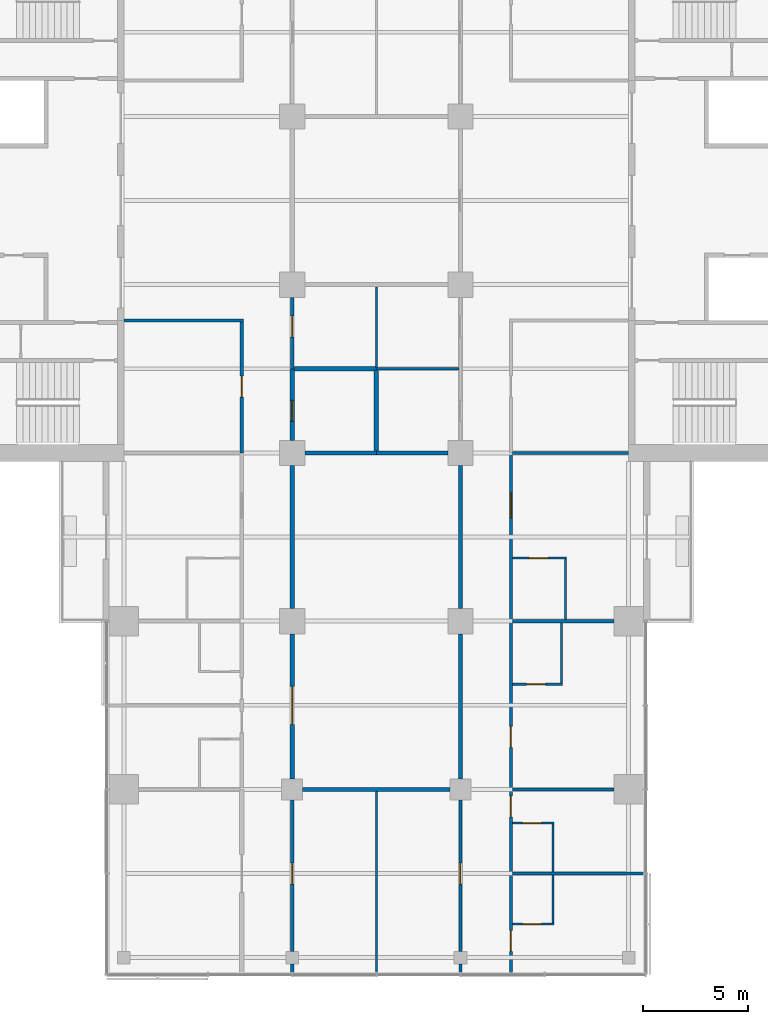
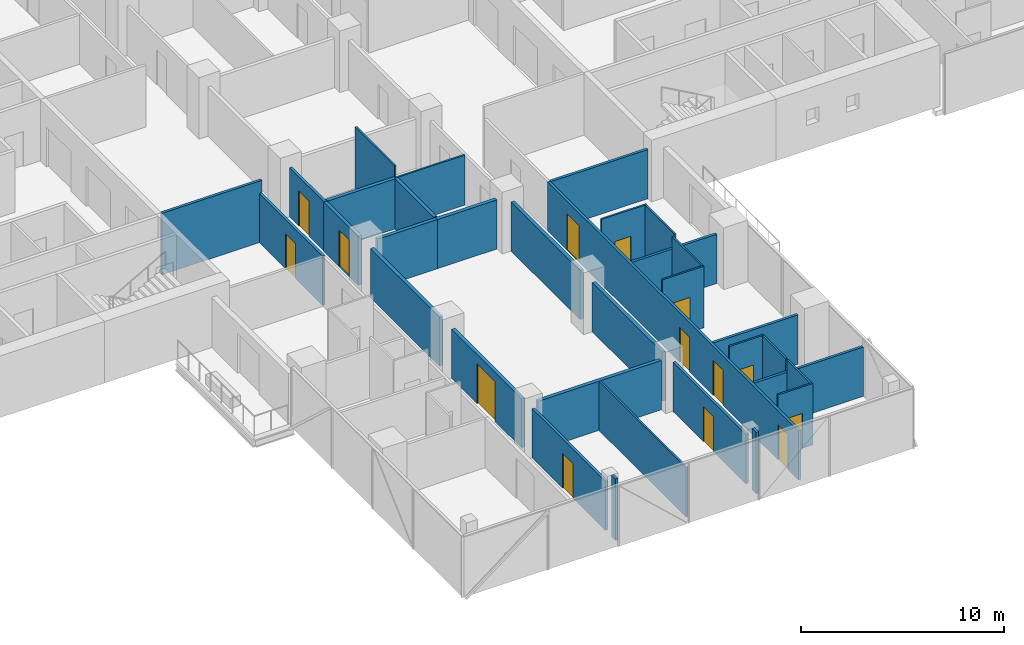
# One storey, part 16 of 27: 33 walls, 14 doors, 14 openings.
"""IFC4 building model written with IfcOpenShell, lengths in metres."""

from ifc_helpers import new_model, si_unit, direction, frame, frame_2d, origin, place, context, subcontext, project, spatial, rectangle, extrude, material, layer, layer_set, type_object, element, fill, save


model = new_model("IFC4")

# Units and contexts
model_context = context("Model", 3, precision=1e-05, world=origin(), true_north=direction((0.0, 1.0)))
body_context = subcontext(model_context, "Body", "Model", "MODEL_VIEW")
ifc_project = project(units=[si_unit("LENGTHUNIT", "METRE"), si_unit("AREAUNIT", "SQUARE_METRE"), si_unit("VOLUMEUNIT", "CUBIC_METRE"), si_unit("PLANEANGLEUNIT", "RADIAN"), si_unit("MASSUNIT", "GRAM", prefix="KILO")], contexts=[model_context])

# Site, building, storey
site_placement = place(None, origin())
site = spatial("IfcSite", under=ifc_project, at=site_placement, CompositionType="ELEMENT")
building_placement = place(site_placement, origin())
building = spatial("IfcBuilding", under=site, at=building_placement, Name="Crosswind Convention Tower", CompositionType="ELEMENT")
storey_placement = place(building_placement, frame((0.0, 0.0, 64.60009765625)))
storey = spatial("IfcBuildingStorey", under=building, at=storey_placement, Name="L10", CompositionType="ELEMENT", Elevation=64.60009765625)

# Walls
ifc_material_1 = material(Name="Concrete blockwork", Category="masonry")
ifc_layer_1 = layer(ifc_material_1, 0.199951171875)
ifc_layer_set_1 = layer_set([ifc_layer_1], Name="COMPARTMENT WALL 200")
wall_type_1 = type_object("IfcWallType", Name="COMPARTMENT WALL 200", PredefinedType="SOLIDWALL", material=ifc_layer_set_1)
wall_1_placement = place(storey_placement, frame((121.60009765625, 88.0, 0.0), z_axis=(0.0, 0.0, 1.0), x_axis=(1.0, 0.0, 0.0)))
element("IfcWall", 1, at=wall_1_placement, inside=storey, type_object=wall_type_1, Name="Compartment Wall 16", PredefinedType="SOLIDWALL", context=body_context, shape_type="SweptSolid", body=[
    extrude(rectangle(XDim=3.39990234375, YDim=0.199951171875, at=frame_2d((1.699951171875, 0.0))), origin(), (0.0, 0.0, 1.0), 2.959716796875),
])
wall_2_placement = place(storey_placement, frame((121.074951171875, 92.0, 0.0), z_axis=(0.0, 0.0, 1.0), x_axis=(1.0, 0.0, 0.0)))
element("IfcWall", 2, at=wall_2_placement, inside=storey, type_object=wall_type_1, Name="Compartment Wall 22", PredefinedType="SOLIDWALL", context=body_context, shape_type="SweptSolid", body=[
    extrude(rectangle(XDim=3.925048828125, YDim=0.199951171875, at=frame_2d((1.96240234375, 0.0))), origin(), (0.0, 0.0, 1.0), 3.013427734375),
])

# Wall, opening, door
wall_3_placement = place(storey_placement, frame((121.0, 88.60009765625, 0.0), z_axis=(0.0, 0.0, 1.0), x_axis=(0.0, 1.0, 0.0)))
wall_3 = element("IfcWall", 3, at=wall_3_placement, inside=storey, type_object=wall_type_1, Name="Compartment Wall 91", PredefinedType="SOLIDWALL", context=body_context, shape_type="SweptSolid", body=[
    extrude(rectangle(XDim=3.39990234375, YDim=0.199951171875, at=frame_2d((1.699951171875, 0.0))), origin(), (0.0, 0.0, 1.0), 2.959716796875),
])
opening_1_placement = place(wall_3_placement, frame((0.89990234375, 0.0, 0.0)))
opening_1 = element("IfcOpeningElement", 4, at=opening_1_placement, cuts=wall_3, Name="Opening 10.060", PredefinedType="OPENING", context=body_context, shape_type="SweptSolid", body=[
    extrude(rectangle(XDim=1.0, YDim=2.199951171875, at=frame_2d((0.5, 1.10009765625))), frame((0.0, 0.10986328125, 0.0), z_axis=(0.0, -1.0, 0.0), x_axis=(1.0, 0.0, 0.0)), (0.0, 0.0, 1.0), 0.219970703125),
])
ifc_material_2 = material(Name="Steel fire door", Category="steel")
door_type_1 = type_object("IfcDoorType", Name="PLANT ROOM DOOR 1000X2200", OperationType="NOTDEFINED", PredefinedType="DOOR", material=ifc_material_2)
door_1_placement = place(opening_1_placement, frame((1.0, 0.0, 0.0), z_axis=(0.0, 0.0, 1.0), x_axis=(-1.0, 0.0, 0.0)))
door_1 = element("IfcDoor", 5, at=door_1_placement, inside=storey, type_object=door_type_1, Name="Door 10.060", ObjectType="D6", OperationType="SINGLE_SWING_RIGHT", OverallHeight=2.199951171875, OverallWidth=1.0, PredefinedType="DOOR", context=body_context, shape_type="SweptSolid", body=[
    extrude(rectangle(XDim=1.0, YDim=2.199951171875, at=frame_2d((0.5, 1.10009765625))), frame((0.0, 0.02490234375, 0.0), z_axis=(0.0, -1.0, 0.0), x_axis=(1.0, 0.0, 0.0)), (0.0, 0.0, 1.0), 0.050048828125),
])
fill(opening_1, door_1)

# Walls
wall_4_placement = place(storey_placement, frame((125.0, 88.10009765625, 0.0), z_axis=(0.0, 0.0, 1.0), x_axis=(0.0, 1.0, 0.0)))
element("IfcWall", 6, at=wall_4_placement, inside=storey, type_object=wall_type_1, Name="Compartment Wall 100", PredefinedType="SOLIDWALL", context=body_context, shape_type="SweptSolid", body=[
    extrude(rectangle(XDim=3.849853515625, YDim=0.199951171875, at=frame_2d((1.9248046875, 0.0))), origin(), (0.0, 0.0, 1.0), 3.013427734375),
])
ifc_material_3 = material(Name="Plasterboard partition", Category="gypsum")
ifc_layer_2 = layer(ifc_material_3, 0.14990234375)
ifc_layer_set_2 = layer_set([ifc_layer_2], Name="CORRIDOR WALL 150")
wall_type_2 = type_object("IfcWallType", Name="CORRIDOR WALL 150", PredefinedType="PARTITIONING", material=ifc_layer_set_2)
wall_5_placement = place(storey_placement, frame((113.0, 94.300048828125, 0.0), z_axis=(0.0, 0.0, 1.0), x_axis=(1.0, 0.0, 0.0)))
element("IfcWall", 7, at=wall_5_placement, inside=storey, type_object=wall_type_2, Name="Corridor Wall 25", PredefinedType="PARTITIONING", context=body_context, shape_type="SweptSolid", body=[
    extrude(rectangle(XDim=5.675048828125, YDim=0.14990234375, at=frame_2d((2.83740234375, 0.0))), origin(), (0.0, 0.0, 1.0), 3.699951171875),
])

# Wall, opening, door
wall_6_placement = place(storey_placement, frame((118.60009765625, 88.0, 0.0), z_axis=(0.0, 0.0, 1.0), x_axis=(0.0, 1.0, 0.0)))
wall_6 = element("IfcWall", 8, at=wall_6_placement, inside=storey, type_object=wall_type_2, Name="Corridor Wall 84", PredefinedType="PARTITIONING", context=body_context, shape_type="SweptSolid", body=[
    extrude(rectangle(XDim=6.22509765625, YDim=0.14990234375, at=frame_2d((3.112548828125, 0.0))), origin(), (0.0, 0.0, 1.0), 2.956298828125),
])
opening_2_placement = place(wall_6_placement, frame((2.64990234375, 0.0, 0.0)))
opening_2 = element("IfcOpeningElement", 9, at=opening_2_placement, cuts=wall_6, Name="Opening 10.004", PredefinedType="OPENING", context=body_context, shape_type="SweptSolid", body=[
    extrude(rectangle(XDim=1.0, YDim=2.10009765625, at=frame_2d((0.5, 1.050048828125))), frame((0.0, 0.0849609375, 0.0), z_axis=(0.0, -1.0, 0.0), x_axis=(1.0, 0.0, 0.0)), (0.0, 0.0, 1.0), 0.169921875),
])
ifc_material_4 = material(Name="Timber fire door", Category="wood")
door_type_2 = type_object("IfcDoorType", Name="SERVICE ROOM DOOR 1000X2100", OperationType="NOTDEFINED", PredefinedType="DOOR", material=ifc_material_4)
door_2_placement = place(opening_2_placement, origin())
door_2 = element("IfcDoor", 10, at=door_2_placement, inside=storey, type_object=door_type_2, Name="Door 10.004", ObjectType="D3", OperationType="SINGLE_SWING_RIGHT", OverallHeight=2.10009765625, OverallWidth=1.0, PredefinedType="DOOR", context=body_context, shape_type="SweptSolid", body=[
    extrude(rectangle(XDim=1.0, YDim=2.10009765625, at=frame_2d((0.5, 1.050048828125))), frame((0.0, 0.02490234375, 0.0), z_axis=(0.0, -1.0, 0.0), x_axis=(1.0, 0.0, 0.0)), (0.0, 0.0, 1.0), 0.050048828125),
])
fill(opening_2, door_2)

# Wall
wall_7_placement = place(storey_placement, frame((121.0, 63.300048828125, 0.0), z_axis=(0.0, 0.0, 1.0), x_axis=(0.0, 1.0, 0.0)))
element("IfcWall", 11, at=wall_7_placement, inside=storey, type_object=wall_type_2, Name="Corridor Wall 87", PredefinedType="PARTITIONING", context=body_context, shape_type="SweptSolid", body=[
    extrude(rectangle(XDim=0.39990234375, YDim=0.14990234375, at=frame_2d((0.199951171875, 0.0))), origin(), (0.0, 0.0, 1.0), 3.699951171875),
])

# Wall, opening, door
wall_8_placement = place(storey_placement, frame((121.0, 64.300048828125, 0.0), z_axis=(0.0, 0.0, 1.0), x_axis=(0.0, 1.0, 0.0)))
wall_8 = element("IfcWall", 12, at=wall_8_placement, inside=storey, type_object=wall_type_2, Name="Corridor Wall 88", PredefinedType="PARTITIONING", context=body_context, shape_type="SweptSolid", body=[
    extrude(rectangle(XDim=7.199951171875, YDim=0.14990234375, at=frame_2d((3.60009765625, 0.0))), origin(), (0.0, 0.0, 1.0), 2.959716796875),
])
opening_3_placement = place(wall_8_placement, frame((3.199951171875, 0.0, 0.0)))
opening_3 = element("IfcOpeningElement", 13, at=opening_3_placement, cuts=wall_8, Name="Opening 10.057", PredefinedType="OPENING", context=body_context, shape_type="SweptSolid", body=[
    extrude(rectangle(XDim=1.0, YDim=2.10009765625, at=frame_2d((0.5, 1.050048828125))), frame((0.0, 0.0849609375, 0.0), z_axis=(0.0, -1.0, 0.0), x_axis=(1.0, 0.0, 0.0)), (0.0, 0.0, 1.0), 0.169921875),
])
door_3_placement = place(opening_3_placement, frame((1.0, 0.0, 0.0), z_axis=(0.0, 0.0, 1.0), x_axis=(-1.0, 0.0, 0.0)))
door_3 = element("IfcDoor", 14, at=door_3_placement, inside=storey, type_object=door_type_2, Name="Door 10.057", ObjectType="D3", OperationType="SINGLE_SWING_LEFT", OverallHeight=2.10009765625, OverallWidth=1.0, PredefinedType="DOOR", context=body_context, shape_type="SweptSolid", body=[
    extrude(rectangle(XDim=1.0, YDim=2.10009765625, at=frame_2d((0.5, 1.050048828125))), frame((0.0, 0.02490234375, 0.0), z_axis=(0.0, -1.0, 0.0), x_axis=(1.0, 0.0, 0.0)), (0.0, 0.0, 1.0), 0.050048828125),
])
fill(opening_3, door_3)

wall_9_placement = place(storey_placement, frame((121.0, 92.0, 0.0), z_axis=(0.0, 0.0, 1.0), x_axis=(0.0, 1.0, 0.0)))
wall_9 = element("IfcWall", 15, at=wall_9_placement, inside=storey, type_object=wall_type_2, Name="Corridor Wall 92", PredefinedType="PARTITIONING", context=body_context, shape_type="SweptSolid", body=[
    extrude(rectangle(XDim=3.39990234375, YDim=0.14990234375, at=frame_2d((1.699951171875, 0.0))), origin(), (0.0, 0.0, 1.0), 2.959716796875),
])
opening_4_placement = place(wall_9_placement, frame((1.5, 0.0, 0.0)))
opening_4 = element("IfcOpeningElement", 16, at=opening_4_placement, cuts=wall_9, Name="Opening 10.061", PredefinedType="OPENING", context=body_context, shape_type="SweptSolid", body=[
    extrude(rectangle(XDim=1.0, YDim=2.10009765625, at=frame_2d((0.5, 1.050048828125))), frame((0.0, 0.0849609375, 0.0), z_axis=(0.0, -1.0, 0.0), x_axis=(1.0, 0.0, 0.0)), (0.0, 0.0, 1.0), 0.169921875),
])
door_4_placement = place(opening_4_placement, frame((1.0, 0.0, 0.0), z_axis=(0.0, 0.0, 1.0), x_axis=(-1.0, 0.0, 0.0)))
door_4 = element("IfcDoor", 17, at=door_4_placement, inside=storey, type_object=door_type_2, Name="Door 10.061", ObjectType="D3", OperationType="SINGLE_SWING_LEFT", OverallHeight=2.10009765625, OverallWidth=1.0, PredefinedType="DOOR", context=body_context, shape_type="SweptSolid", body=[
    extrude(rectangle(XDim=1.0, YDim=2.10009765625, at=frame_2d((0.5, 1.050048828125))), frame((0.0, 0.02490234375, 0.0), z_axis=(0.0, -1.0, 0.0), x_axis=(1.0, 0.0, 0.0)), (0.0, 0.0, 1.0), 0.050048828125),
])
fill(opening_4, door_4)

# Wall
wall_10_placement = place(storey_placement, frame((129.0, 63.300048828125, 0.0), z_axis=(0.0, 0.0, 1.0), x_axis=(0.0, 1.0, 0.0)))
element("IfcWall", 18, at=wall_10_placement, inside=storey, type_object=wall_type_2, Name="Corridor Wall 104", PredefinedType="PARTITIONING", context=body_context, shape_type="SweptSolid", body=[
    extrude(rectangle(XDim=0.39990234375, YDim=0.14990234375, at=frame_2d((0.199951171875, 0.0))), origin(), (0.0, 0.0, 1.0), 3.699951171875),
])

# Wall, opening, door
wall_11_placement = place(storey_placement, frame((129.0, 64.300048828125, 0.0), z_axis=(0.0, 0.0, 1.0), x_axis=(0.0, 1.0, 0.0)))
wall_11 = element("IfcWall", 19, at=wall_11_placement, inside=storey, type_object=wall_type_2, Name="Corridor Wall 105", PredefinedType="PARTITIONING", context=body_context, shape_type="SweptSolid", body=[
    extrude(rectangle(XDim=7.199951171875, YDim=0.14990234375, at=frame_2d((3.60009765625, 0.0))), origin(), (0.0, 0.0, 1.0), 2.959716796875),
])
opening_5_placement = place(wall_11_placement, frame((3.199951171875, 0.0, 0.0)))
opening_5 = element("IfcOpeningElement", 20, at=opening_5_placement, cuts=wall_11, Name="Opening 10.058", PredefinedType="OPENING", context=body_context, shape_type="SweptSolid", body=[
    extrude(rectangle(XDim=1.0, YDim=2.10009765625, at=frame_2d((0.5, 1.050048828125))), frame((0.0, 0.0849609375, 0.0), z_axis=(0.0, -1.0, 0.0), x_axis=(1.0, 0.0, 0.0)), (0.0, 0.0, 1.0), 0.169921875),
])
door_5_placement = place(opening_5_placement, origin())
door_5 = element("IfcDoor", 21, at=door_5_placement, inside=storey, type_object=door_type_2, Name="Door 10.058", ObjectType="D3", OperationType="SINGLE_SWING_RIGHT", OverallHeight=2.10009765625, OverallWidth=1.0, PredefinedType="DOOR", context=body_context, shape_type="SweptSolid", body=[
    extrude(rectangle(XDim=1.0, YDim=2.10009765625, at=frame_2d((0.5, 1.050048828125))), frame((0.0, 0.02490234375, 0.0), z_axis=(0.0, -1.0, 0.0), x_axis=(1.0, 0.0, 0.0)), (0.0, 0.0, 1.0), 0.050048828125),
])
fill(opening_5, door_5)

# Walls
ifc_material_5 = material(Name="Acoustic plasterboard partition", Category="gypsum")
ifc_layer_3 = layer(ifc_material_5, 0.14990234375)
ifc_layer_set_3 = layer_set([ifc_layer_3], Name="GUEST ROOM WALL 150")
wall_type_3 = type_object("IfcWallType", Name="GUEST ROOM WALL 150", PredefinedType="PARTITIONING", material=ifc_layer_set_3)
wall_12_placement = place(storey_placement, frame((131.47509765625, 68.0, 0.0), z_axis=(0.0, 0.0, 1.0), x_axis=(1.0, 0.0, 0.0)))
element("IfcWall", 22, at=wall_12_placement, inside=storey, type_object=wall_type_3, Name="Guest Room Wall 2", PredefinedType="PARTITIONING", context=body_context, shape_type="SweptSolid", body=[
    extrude(rectangle(XDim=6.224853515625, YDim=0.14990234375, at=frame_2d((3.1123046875, 0.0))), origin(), (0.0, 0.0, 1.0), 2.962646484375),
])
for number, where, z_axis, x_axis, name in (
    (23, (131.47509765625, 72.0, 0.0), (0.0, 0.0, 1.0), (1.0, 0.0, 0.0), "Guest Room Wall 6"),
    (24, (131.47509765625, 80.0, 0.0), (0.0, 0.0, 1.0), (1.0, 0.0, 0.0), "Guest Room Wall 12"),
):
    element("IfcWall", number, at=place(storey_placement, frame(where, z_axis=z_axis, x_axis=x_axis)), inside=storey, type_object=wall_type_3, Name=name, PredefinedType="PARTITIONING", context=body_context, shape_type="SweptSolid", body=[
        extrude(rectangle(XDim=4.824951171875, YDim=0.14990234375, at=frame_2d((2.41259765625, 0.0))), origin(), (0.0, 0.0, 1.0), 2.959716796875),
    ])
wall_13_placement = place(storey_placement, frame((131.47509765625, 88.0, 0.0), z_axis=(0.0, 0.0, 1.0), x_axis=(1.0, 0.0, 0.0)))
element("IfcWall", 25, at=wall_13_placement, inside=storey, type_object=wall_type_3, Name="Guest Room Wall 18", PredefinedType="PARTITIONING", context=body_context, shape_type="SweptSolid", body=[
    extrude(rectangle(XDim=5.52490234375, YDim=0.14990234375, at=frame_2d((2.762451171875, 0.0))), origin(), (0.0, 0.0, 1.0), 2.956298828125),
])

# Wall, openings, doors
wall_14_placement = place(storey_placement, frame((131.39990234375, 63.300048828125, 0.0), z_axis=(0.0, 0.0, 1.0), x_axis=(0.0, 1.0, 0.0)))
wall_14 = element("IfcWall", 26, at=wall_14_placement, inside=storey, type_object=wall_type_3, Name="Guest Room Wall 115", PredefinedType="PARTITIONING", context=body_context, shape_type="SweptSolid", body=[
    extrude(rectangle(XDim=24.699951171875, YDim=0.14990234375, at=frame_2d((12.35009765625, 0.0))), origin(), (0.0, 0.0, 1.0), 2.956298828125),
])
opening_6_placement = place(wall_14_placement, frame((21.60009765625, 0.0, 0.0)))
opening_6 = element("IfcOpeningElement", 27, at=opening_6_placement, cuts=wall_14, Name="Opening 10.020", PredefinedType="OPENING", context=body_context, shape_type="SweptSolid", body=[
    extrude(rectangle(XDim=1.199951171875, YDim=2.199951171875, at=frame_2d((0.60009765625, 1.10009765625))), frame((0.0, 0.0849609375, 0.0), z_axis=(0.0, -1.0, 0.0), x_axis=(1.0, 0.0, 0.0)), (0.0, 0.0, 1.0), 0.169921875),
])
opening_7_placement = place(wall_14_placement, frame((10.699951171875, 0.0, 0.0)))
opening_7 = element("IfcOpeningElement", 28, at=opening_7_placement, cuts=wall_14, Name="Opening 10.022", PredefinedType="OPENING", context=body_context, shape_type="SweptSolid", body=[
    extrude(rectangle(XDim=1.0, YDim=2.10009765625, at=frame_2d((0.5, 1.050048828125))), frame((0.0, 0.0849609375, 0.0), z_axis=(0.0, -1.0, 0.0), x_axis=(1.0, 0.0, 0.0)), (0.0, 0.0, 1.0), 0.169921875),
])
opening_8_placement = place(wall_14_placement, frame((7.39990234375, 0.0, 0.0)))
opening_8 = element("IfcOpeningElement", 29, at=opening_8_placement, cuts=wall_14, Name="Opening 10.024", PredefinedType="OPENING", context=body_context, shape_type="SweptSolid", body=[
    extrude(rectangle(XDim=1.0, YDim=2.10009765625, at=frame_2d((0.5, 1.050048828125))), frame((0.0, 0.0849609375, 0.0), z_axis=(0.0, -1.0, 0.0), x_axis=(1.0, 0.0, 0.0)), (0.0, 0.0, 1.0), 0.169921875),
])
opening_9_placement = place(wall_14_placement, frame((1.0, 0.0, 0.0)))
opening_9 = element("IfcOpeningElement", 30, at=opening_9_placement, cuts=wall_14, Name="Opening 10.026", PredefinedType="OPENING", context=body_context, shape_type="SweptSolid", body=[
    extrude(rectangle(XDim=1.0, YDim=2.10009765625, at=frame_2d((0.5, 1.050048828125))), frame((0.0, 0.0849609375, 0.0), z_axis=(0.0, -1.0, 0.0), x_axis=(1.0, 0.0, 0.0)), (0.0, 0.0, 1.0), 0.169921875),
])
door_type_3 = type_object("IfcDoorType", Name="GUEST ROOM DOOR 1000X2100", OperationType="NOTDEFINED", PredefinedType="DOOR", material=ifc_material_4)
door_6_placement = place(opening_7_placement, frame((1.0, 0.0, 0.0), z_axis=(0.0, 0.0, 1.0), x_axis=(-1.0, 0.0, 0.0)))
door_6 = element("IfcDoor", 31, at=door_6_placement, inside=storey, type_object=door_type_3, Name="Door 10.022", ObjectType="D1", OperationType="SINGLE_SWING_LEFT", OverallHeight=2.10009765625, OverallWidth=1.0, PredefinedType="DOOR", context=body_context, shape_type="SweptSolid", body=[
    extrude(rectangle(XDim=1.0, YDim=2.10009765625, at=frame_2d((0.5, 1.050048828125))), frame((0.0, 0.02490234375, 0.0), z_axis=(0.0, -1.0, 0.0), x_axis=(1.0, 0.0, 0.0)), (0.0, 0.0, 1.0), 0.050048828125),
])
fill(opening_7, door_6)
door_7_placement = place(opening_8_placement, frame((1.0, 0.0, 0.0), z_axis=(0.0, 0.0, 1.0), x_axis=(-1.0, 0.0, 0.0)))
door_7 = element("IfcDoor", 32, at=door_7_placement, inside=storey, type_object=door_type_3, Name="Door 10.024", ObjectType="D1", OperationType="SINGLE_SWING_LEFT", OverallHeight=2.10009765625, OverallWidth=1.0, PredefinedType="DOOR", context=body_context, shape_type="SweptSolid", body=[
    extrude(rectangle(XDim=1.0, YDim=2.10009765625, at=frame_2d((0.5, 1.050048828125))), frame((0.0, 0.02490234375, 0.0), z_axis=(0.0, -1.0, 0.0), x_axis=(1.0, 0.0, 0.0)), (0.0, 0.0, 1.0), 0.050048828125),
])
fill(opening_8, door_7)
door_8_placement = place(opening_9_placement, frame((1.0, 0.0, 0.0), z_axis=(0.0, 0.0, 1.0), x_axis=(-1.0, 0.0, 0.0)))
door_8 = element("IfcDoor", 33, at=door_8_placement, inside=storey, type_object=door_type_3, Name="Door 10.026", ObjectType="D1", OperationType="SINGLE_SWING_LEFT", OverallHeight=2.10009765625, OverallWidth=1.0, PredefinedType="DOOR", context=body_context, shape_type="SweptSolid", body=[
    extrude(rectangle(XDim=1.0, YDim=2.10009765625, at=frame_2d((0.5, 1.050048828125))), frame((0.0, 0.02490234375, 0.0), z_axis=(0.0, -1.0, 0.0), x_axis=(1.0, 0.0, 0.0)), (0.0, 0.0, 1.0), 0.050048828125),
])
fill(opening_9, door_8)
door_type_4 = type_object("IfcDoorType", Name="SUITE DOOR 1200X2200", OperationType="DOUBLE_DOOR_SINGLE_SWING", PredefinedType="DOOR", material=ifc_material_4)
door_9_placement = place(opening_6_placement, frame((1.199951171875, 0.0, 0.0), z_axis=(0.0, 0.0, 1.0), x_axis=(-1.0, 0.0, 0.0)))
door_9 = element("IfcDoor", 34, at=door_9_placement, inside=storey, type_object=door_type_4, Name="Door 10.020", ObjectType="D14", OperationType="DOUBLE_DOOR_SINGLE_SWING", OverallHeight=2.199951171875, OverallWidth=1.199951171875, PredefinedType="DOOR", context=body_context, shape_type="SweptSolid", body=[
    extrude(rectangle(XDim=1.199951171875, YDim=2.199951171875, at=frame_2d((0.60009765625, 1.10009765625))), frame((0.0, 0.02490234375, 0.0), z_axis=(0.0, -1.0, 0.0), x_axis=(1.0, 0.0, 0.0)), (0.0, 0.0, 1.0), 0.050048828125),
])
fill(opening_6, door_9)

# Walls
ifc_material_6 = material(Name="Double plasterboard partition", Category="gypsum")
ifc_layer_4 = layer(ifc_material_6, 0.199951171875)
ifc_layer_set_4 = layer_set([ifc_layer_4], Name="HALL WALL 200")
wall_type_4 = type_object("IfcWallType", Name="HALL WALL 200", PredefinedType="PARTITIONING", material=ifc_layer_set_4)
wall_15_placement = place(storey_placement, frame((121.5, 72.0, 0.0), z_axis=(0.0, 0.0, 1.0), x_axis=(1.0, 0.0, 0.0)))
element("IfcWall", 35, at=wall_15_placement, inside=storey, type_object=wall_type_4, Name="Hall Wall 5", PredefinedType="PARTITIONING", context=body_context, shape_type="SweptSolid", body=[
    extrude(rectangle(XDim=7.0, YDim=0.199951171875, at=frame_2d((3.5, 0.0))), origin(), (0.0, 0.0, 1.0), 2.959716796875),
])
wall_16_placement = place(storey_placement, frame((125.0, 88.0, 0.0), z_axis=(0.0, 0.0, 1.0), x_axis=(1.0, 0.0, 0.0)))
element("IfcWall", 36, at=wall_16_placement, inside=storey, type_object=wall_type_4, Name="Hall Wall 17", PredefinedType="PARTITIONING", context=body_context, shape_type="SweptSolid", body=[
    extrude(rectangle(XDim=3.39990234375, YDim=0.199951171875, at=frame_2d((1.699951171875, 0.0))), origin(), (0.0, 0.0, 1.0), 2.959716796875),
])

# Wall, opening, door
wall_17_placement = place(storey_placement, frame((121.0, 72.5, 0.0), z_axis=(0.0, 0.0, 1.0), x_axis=(0.0, 1.0, 0.0)))
wall_17 = element("IfcWall", 37, at=wall_17_placement, inside=storey, type_object=wall_type_4, Name="Hall Wall 89", PredefinedType="PARTITIONING", context=body_context, shape_type="SweptSolid", body=[
    extrude(rectangle(XDim=6.89990234375, YDim=0.199951171875, at=frame_2d((3.449951171875, 0.0))), origin(), (0.0, 0.0, 1.0), 2.959716796875),
])
opening_10_placement = place(wall_17_placement, frame((2.60009765625, 0.0, 0.0)))
opening_10 = element("IfcOpeningElement", 38, at=opening_10_placement, cuts=wall_17, Name="Opening 10.059", PredefinedType="OPENING", context=body_context, shape_type="SweptSolid", body=[
    extrude(rectangle(XDim=1.800048828125, YDim=2.39990234375, at=frame_2d((0.89990234375, 1.199951171875))), frame((0.0, 0.10986328125, 0.0), z_axis=(0.0, -1.0, 0.0), x_axis=(1.0, 0.0, 0.0)), (0.0, 0.0, 1.0), 0.219970703125),
])
door_type_5 = type_object("IfcDoorType", Name="HALL DOUBLE DOOR 1800X2400", OperationType="DOUBLE_DOOR_SINGLE_SWING", PredefinedType="DOOR", material=ifc_material_4)
door_10_placement = place(opening_10_placement, origin())
door_10 = element("IfcDoor", 39, at=door_10_placement, inside=storey, type_object=door_type_5, Name="Door 10.059", ObjectType="D5", OperationType="DOUBLE_DOOR_SINGLE_SWING", OverallHeight=2.39990234375, OverallWidth=1.800048828125, PredefinedType="DOOR", context=body_context, shape_type="SweptSolid", body=[
    extrude(rectangle(XDim=1.800048828125, YDim=2.39990234375, at=frame_2d((0.89990234375, 1.199951171875))), frame((0.0, 0.02490234375, 0.0), z_axis=(0.0, -1.0, 0.0), x_axis=(1.0, 0.0, 0.0)), (0.0, 0.0, 1.0), 0.050048828125),
])
fill(opening_10, door_10)

# Walls
wall_18_placement = place(storey_placement, frame((121.0, 80.60009765625, 0.0), z_axis=(0.0, 0.0, 1.0), x_axis=(0.0, 1.0, 0.0)))
element("IfcWall", 40, at=wall_18_placement, inside=storey, type_object=wall_type_4, Name="Hall Wall 90", PredefinedType="PARTITIONING", context=body_context, shape_type="SweptSolid", body=[
    extrude(rectangle(XDim=6.7998046875, YDim=0.199951171875, at=frame_2d((3.39990234375, 0.0))), origin(), (0.0, 0.0, 1.0), 2.959716796875),
])
wall_19_placement = place(storey_placement, frame((129.0, 72.5, 0.0), z_axis=(0.0, 0.0, 1.0), x_axis=(0.0, 1.0, 0.0)))
element("IfcWall", 41, at=wall_19_placement, inside=storey, type_object=wall_type_4, Name="Hall Wall 106", PredefinedType="PARTITIONING", context=body_context, shape_type="SweptSolid", body=[
    extrude(rectangle(XDim=6.89990234375, YDim=0.199951171875, at=frame_2d((3.449951171875, 0.0))), origin(), (0.0, 0.0, 1.0), 2.959716796875),
])
wall_20_placement = place(storey_placement, frame((129.0, 80.60009765625, 0.0), z_axis=(0.0, 0.0, 1.0), x_axis=(0.0, 1.0, 0.0)))
element("IfcWall", 42, at=wall_20_placement, inside=storey, type_object=wall_type_4, Name="Hall Wall 107", PredefinedType="PARTITIONING", context=body_context, shape_type="SweptSolid", body=[
    extrude(rectangle(XDim=6.7998046875, YDim=0.199951171875, at=frame_2d((3.39990234375, 0.0))), origin(), (0.0, 0.0, 1.0), 2.959716796875),
])
ifc_layer_5 = layer(ifc_material_3, 0.10009765625)
ifc_layer_set_5 = layer_set([ifc_layer_5], Name="PARTITION 100")
wall_type_5 = type_object("IfcWallType", Name="PARTITION 100", PredefinedType="PARTITIONING", material=ifc_layer_set_5)
wall_21_placement = place(storey_placement, frame((125.0, 92.0, 0.0), z_axis=(0.0, 0.0, 1.0), x_axis=(1.0, 0.0, 0.0)))
element("IfcWall", 43, at=wall_21_placement, inside=storey, type_object=wall_type_5, Name="Partition 23", PredefinedType="PARTITIONING", context=body_context, shape_type="SweptSolid", body=[
    extrude(rectangle(XDim=3.925048828125, YDim=0.10009765625, at=frame_2d((1.96240234375, 0.0))), origin(), (0.0, 0.0, 1.0), 3.013427734375),
])
wall_22_placement = place(storey_placement, frame((125.0, 63.300048828125, 0.0), z_axis=(0.0, 0.0, 1.0), x_axis=(0.0, 1.0, 0.0)))
element("IfcWall", 44, at=wall_22_placement, inside=storey, type_object=wall_type_5, Name="Partition 99", PredefinedType="PARTITIONING", context=body_context, shape_type="SweptSolid", body=[
    extrude(rectangle(XDim=8.599853515625, YDim=0.10009765625, at=frame_2d((4.2998046875, 0.0))), origin(), (0.0, 0.0, 1.0), 2.962646484375),
])
wall_23_placement = place(storey_placement, frame((125.0, 92.050048828125, 0.0), z_axis=(0.0, 0.0, 1.0), x_axis=(0.0, 1.0, 0.0)))
element("IfcWall", 45, at=wall_23_placement, inside=storey, type_object=wall_type_5, Name="Partition 101", PredefinedType="PARTITIONING", context=body_context, shape_type="SweptSolid", body=[
    extrude(rectangle(XDim=3.849853515625, YDim=0.10009765625, at=frame_2d((1.9248046875, 0.0))), origin(), (0.0, 0.0, 1.0), 3.699951171875),
])

# Wall, opening, door
ifc_material_7 = material(Name="Water-resistant plasterboard partition", Category="gypsum")
ifc_layer_6 = layer(ifc_material_7, 0.10009765625)
ifc_layer_set_6 = layer_set([ifc_layer_6], Name="WET ROOM PARTITION 100")
wall_type_6 = type_object("IfcWallType", Name="WET ROOM PARTITION 100", PredefinedType="PLUMBINGWALL", material=ifc_layer_set_6)
wall_24_placement = place(storey_placement, frame((131.47509765625, 65.60009765625, 0.0), z_axis=(0.0, 0.0, 1.0), x_axis=(1.0, 0.0, 0.0)))
wall_24 = element("IfcWall", 46, at=wall_24_placement, inside=storey, type_object=wall_type_6, Name="Wet Room Partition 1", PredefinedType="PLUMBINGWALL", context=body_context, shape_type="SweptSolid", body=[
    extrude(rectangle(XDim=1.974853515625, YDim=0.10009765625, at=frame_2d((0.9873046875, 0.0))), origin(), (0.0, 0.0, 1.0), 3.699951171875),
])
opening_11_placement = place(wall_24_placement, frame((0.47509765625, 0.0, 0.0)))
opening_11 = element("IfcOpeningElement", 47, at=opening_11_placement, cuts=wall_24, Name="Opening 10.027", PredefinedType="OPENING", context=body_context, shape_type="SweptSolid", body=[
    extrude(rectangle(XDim=0.89990234375, YDim=2.10009765625, at=frame_2d((0.449951171875, 1.050048828125))), frame((0.0, 0.06005859375, 0.0), z_axis=(0.0, -1.0, 0.0), x_axis=(1.0, 0.0, 0.0)), (0.0, 0.0, 1.0), 0.1201171875),
])
ifc_material_8 = material(Name="Timber door", Category="wood")
door_type_6 = type_object("IfcDoorType", Name="EN-SUITE DOOR 900X2100", OperationType="NOTDEFINED", PredefinedType="DOOR", material=ifc_material_8)
door_11_placement = place(opening_11_placement, origin())
door_11 = element("IfcDoor", 48, at=door_11_placement, inside=storey, type_object=door_type_6, Name="Door 10.027", ObjectType="D2", OperationType="SINGLE_SWING_RIGHT", OverallHeight=2.10009765625, OverallWidth=0.89990234375, PredefinedType="DOOR", context=body_context, shape_type="SweptSolid", body=[
    extrude(rectangle(XDim=0.89990234375, YDim=2.10009765625, at=frame_2d((0.449951171875, 1.050048828125))), frame((0.0, 0.02490234375, 0.0), z_axis=(0.0, -1.0, 0.0), x_axis=(1.0, 0.0, 0.0)), (0.0, 0.0, 1.0), 0.050048828125),
])
fill(opening_11, door_11)

wall_25_placement = place(storey_placement, frame((131.47509765625, 70.39990234375, 0.0), z_axis=(0.0, 0.0, 1.0), x_axis=(1.0, 0.0, 0.0)))
wall_25 = element("IfcWall", 49, at=wall_25_placement, inside=storey, type_object=wall_type_6, Name="Wet Room Partition 3", PredefinedType="PLUMBINGWALL", context=body_context, shape_type="SweptSolid", body=[
    extrude(rectangle(XDim=1.974853515625, YDim=0.10009765625, at=frame_2d((0.9873046875, 0.0))), origin(), (0.0, 0.0, 1.0), 3.699951171875),
])
opening_12_placement = place(wall_25_placement, frame((0.47509765625, 0.0, 0.0)))
opening_12 = element("IfcOpeningElement", 50, at=opening_12_placement, cuts=wall_25, Name="Opening 10.025", PredefinedType="OPENING", context=body_context, shape_type="SweptSolid", body=[
    extrude(rectangle(XDim=0.89990234375, YDim=2.10009765625, at=frame_2d((0.449951171875, 1.050048828125))), frame((0.0, 0.06005859375, 0.0), z_axis=(0.0, -1.0, 0.0), x_axis=(1.0, 0.0, 0.0)), (0.0, 0.0, 1.0), 0.1201171875),
])
door_12_placement = place(opening_12_placement, frame((0.89990234375, 0.0, 0.0), z_axis=(0.0, 0.0, 1.0), x_axis=(-1.0, 0.0, 0.0)))
door_12 = element("IfcDoor", 51, at=door_12_placement, inside=storey, type_object=door_type_6, Name="Door 10.025", ObjectType="D2", OperationType="SINGLE_SWING_LEFT", OverallHeight=2.10009765625, OverallWidth=0.89990234375, PredefinedType="DOOR", context=body_context, shape_type="SweptSolid", body=[
    extrude(rectangle(XDim=0.89990234375, YDim=2.10009765625, at=frame_2d((0.449951171875, 1.050048828125))), frame((0.0, 0.02490234375, 0.0), z_axis=(0.0, -1.0, 0.0), x_axis=(1.0, 0.0, 0.0)), (0.0, 0.0, 1.0), 0.050048828125),
])
fill(opening_12, door_12)

wall_26_placement = place(storey_placement, frame((131.47509765625, 77.0, 0.0), z_axis=(0.0, 0.0, 1.0), x_axis=(1.0, 0.0, 0.0)))
wall_26 = element("IfcWall", 52, at=wall_26_placement, inside=storey, type_object=wall_type_6, Name="Wet Room Partition 9", PredefinedType="PLUMBINGWALL", context=body_context, shape_type="SweptSolid", body=[
    extrude(rectangle(XDim=2.375, YDim=0.10009765625, at=frame_2d((1.1875, 0.0))), origin(), (0.0, 0.0, 1.0), 3.699951171875),
])
opening_13_placement = place(wall_26_placement, frame((0.675048828125, 0.0, 0.0)))
opening_13 = element("IfcOpeningElement", 53, at=opening_13_placement, cuts=wall_26, Name="Opening 10.023", PredefinedType="OPENING", context=body_context, shape_type="SweptSolid", body=[
    extrude(rectangle(XDim=0.89990234375, YDim=2.10009765625, at=frame_2d((0.449951171875, 1.050048828125))), frame((0.0, 0.06005859375, 0.0), z_axis=(0.0, -1.0, 0.0), x_axis=(1.0, 0.0, 0.0)), (0.0, 0.0, 1.0), 0.1201171875),
])
door_13_placement = place(opening_13_placement, origin())
door_13 = element("IfcDoor", 54, at=door_13_placement, inside=storey, type_object=door_type_6, Name="Door 10.023", ObjectType="D2", OperationType="SINGLE_SWING_RIGHT", OverallHeight=2.10009765625, OverallWidth=0.89990234375, PredefinedType="DOOR", context=body_context, shape_type="SweptSolid", body=[
    extrude(rectangle(XDim=0.89990234375, YDim=2.10009765625, at=frame_2d((0.449951171875, 1.050048828125))), frame((0.0, 0.02490234375, 0.0), z_axis=(0.0, -1.0, 0.0), x_axis=(1.0, 0.0, 0.0)), (0.0, 0.0, 1.0), 0.050048828125),
])
fill(opening_13, door_13)

wall_27_placement = place(storey_placement, frame((131.47509765625, 83.0, 0.0), z_axis=(0.0, 0.0, 1.0), x_axis=(1.0, 0.0, 0.0)))
wall_27 = element("IfcWall", 55, at=wall_27_placement, inside=storey, type_object=wall_type_6, Name="Wet Room Partition 14", PredefinedType="PLUMBINGWALL", context=body_context, shape_type="SweptSolid", body=[
    extrude(rectangle(XDim=2.574951171875, YDim=0.10009765625, at=frame_2d((1.28759765625, 0.0))), origin(), (0.0, 0.0, 1.0), 3.699951171875),
])
opening_14_placement = place(wall_27_placement, frame((0.77490234375, 0.0, 0.0)))
opening_14 = element("IfcOpeningElement", 56, at=opening_14_placement, cuts=wall_27, Name="Opening 10.021", PredefinedType="OPENING", context=body_context, shape_type="SweptSolid", body=[
    extrude(rectangle(XDim=0.89990234375, YDim=2.10009765625, at=frame_2d((0.449951171875, 1.050048828125))), frame((0.0, 0.06005859375, 0.0), z_axis=(0.0, -1.0, 0.0), x_axis=(1.0, 0.0, 0.0)), (0.0, 0.0, 1.0), 0.1201171875),
])
door_14_placement = place(opening_14_placement, frame((0.89990234375, 0.0, 0.0), z_axis=(0.0, 0.0, 1.0), x_axis=(-1.0, 0.0, 0.0)))
door_14 = element("IfcDoor", 57, at=door_14_placement, inside=storey, type_object=door_type_6, Name="Door 10.021", ObjectType="D2", OperationType="SINGLE_SWING_LEFT", OverallHeight=2.10009765625, OverallWidth=0.89990234375, PredefinedType="DOOR", context=body_context, shape_type="SweptSolid", body=[
    extrude(rectangle(XDim=0.89990234375, YDim=2.10009765625, at=frame_2d((0.449951171875, 1.050048828125))), frame((0.0, 0.02490234375, 0.0), z_axis=(0.0, -1.0, 0.0), x_axis=(1.0, 0.0, 0.0)), (0.0, 0.0, 1.0), 0.050048828125),
])
fill(opening_14, door_14)

# Walls
for number, where, z_axis, x_axis, name in (
    (58, (133.39990234375, 65.64990234375, 0.0), (0.0, 0.0, 1.0), (0.0, 1.0, 0.0), "Wet Room Partition 120"),
    (59, (133.39990234375, 68.074951171875, 0.0), (0.0, 0.0, 1.0), (0.0, 1.0, 0.0), "Wet Room Partition 121"),
):
    element("IfcWall", number, at=place(storey_placement, frame(where, z_axis=z_axis, x_axis=x_axis)), inside=storey, type_object=wall_type_6, Name=name, PredefinedType="PLUMBINGWALL", context=body_context, shape_type="SweptSolid", body=[
        extrude(rectangle(XDim=2.275146484375, YDim=0.10009765625, at=frame_2d((1.1376953125, 0.0))), origin(), (0.0, 0.0, 1.0), 3.699951171875),
    ])
for number, where, z_axis, x_axis, name in (
    (60, (133.800048828125, 77.050048828125, 0.0), (0.0, 0.0, 1.0), (0.0, 1.0, 0.0), "Wet Room Partition 124"),
    (61, (134.0, 80.074951171875, 0.0), (0.0, 0.0, 1.0), (0.0, 1.0, 0.0), "Wet Room Partition 125"),
):
    element("IfcWall", number, at=place(storey_placement, frame(where, z_axis=z_axis, x_axis=x_axis)), inside=storey, type_object=wall_type_6, Name=name, PredefinedType="PLUMBINGWALL", context=body_context, shape_type="SweptSolid", body=[
        extrude(rectangle(XDim=2.875, YDim=0.10009765625, at=frame_2d((1.4375, 0.0))), origin(), (0.0, 0.0, 1.0), 3.699951171875),
    ])

save(model, "model.ifc")
